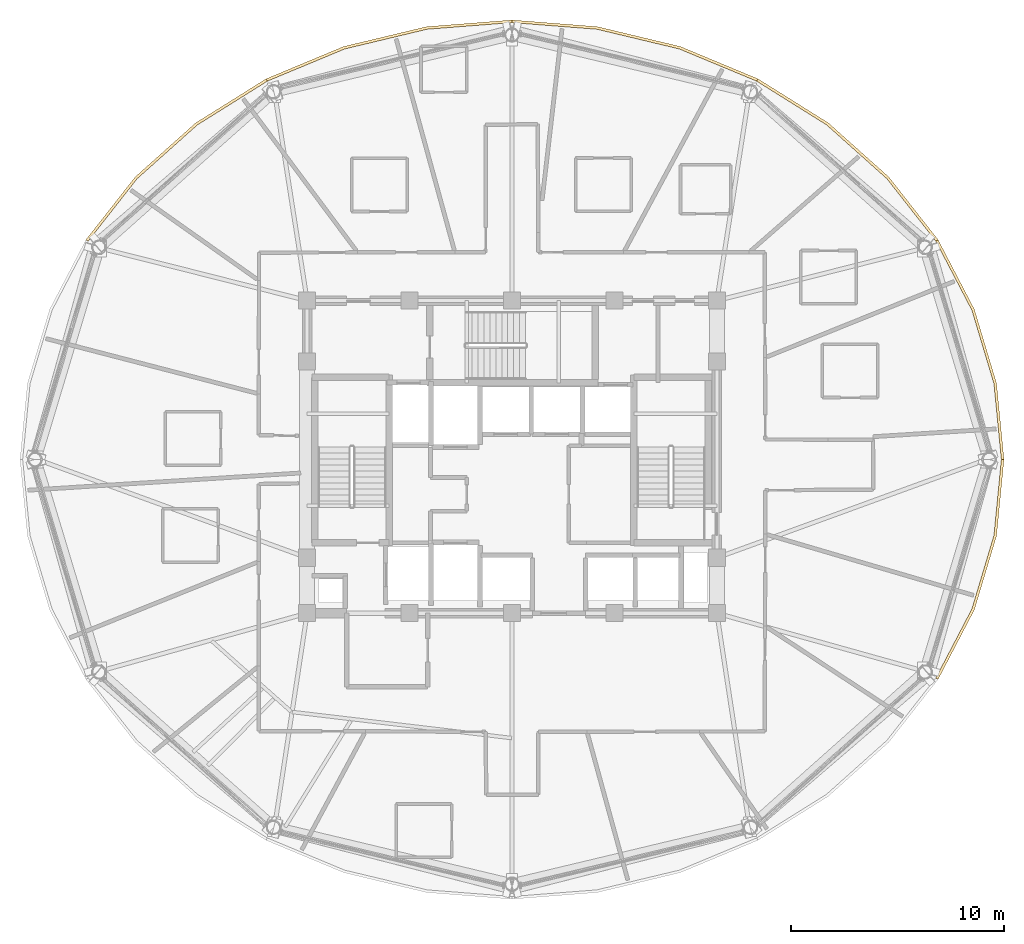
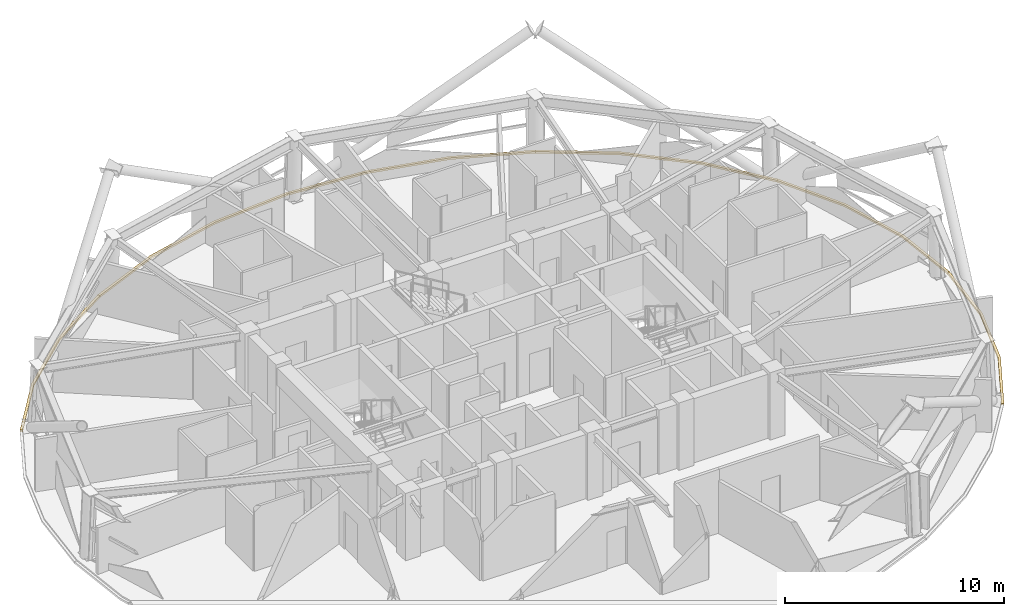
# One storey, part 14 of 14: 6 coverings.
"""IFC4 building model written with IfcOpenShell, lengths in metres."""

from ifc_helpers import new_model, si_unit, direction, frame, origin, place, context, subcontext, project, spatial, polyline, outline, extrude, material, layer, layer_set, type_object, element, save


model = new_model("IFC4")

# Units and contexts
model_context = context("Model", 3, precision=1e-05, world=origin(), true_north=direction((0.0, 1.0)))
body_context = subcontext(model_context, "Body", "Model", "MODEL_VIEW")
ifc_project = project(units=[si_unit("LENGTHUNIT", "METRE"), si_unit("AREAUNIT", "SQUARE_METRE"), si_unit("VOLUMEUNIT", "CUBIC_METRE"), si_unit("PLANEANGLEUNIT", "RADIAN"), si_unit("MASSUNIT", "GRAM", prefix="KILO")], contexts=[model_context])

# Site, building, storey
site_placement = place(None, origin())
site = spatial("IfcSite", under=ifc_project, at=site_placement, CompositionType="ELEMENT")
building_placement = place(site_placement, origin())
building = spatial("IfcBuilding", under=site, at=building_placement, Name="Vantalir Tower", CompositionType="ELEMENT")
storey_placement = place(building_placement, frame((0.0, 0.0, 204.89990234375)))
storey = spatial("IfcBuildingStorey", under=building, at=storey_placement, Name="L51", CompositionType="ELEMENT", Elevation=204.89990234375)

# Coverings
ifc_material = material(Name="Anodised champagne aluminium sill fascia", Category="aluminium")
ifc_layer = layer(ifc_material, 0.125)
ifc_layer_set = layer_set([ifc_layer], Name="Anodised champagne aluminium sill fascia")
covering_type = type_object("IfcCoveringType", Name="COV-SLAB-FASCIA-125", PredefinedType="CLADDING", material=ifc_layer_set)
covering_1_placement = place(storey_placement, frame((0.0, 0.0, -0.179931640625)))
element("IfcCovering", 1, at=covering_1_placement, inside=storey, type_object=covering_type, Name="L51 Perimeter Slab-Edge Sill Fascia 01", PredefinedType="CLADDING", context=body_context, shape_type="SweptSolid", body=[
    extrude(outline(polyline([(54.556884765625, 25.0), (54.20703125, 28.576904296875), (53.166015625, 32.0458984375), (51.468017578125, 35.300048828125), (51.360107421875, 35.237060546875), (53.049072265625, 32.0029296875), (54.083984375, 28.554931640625), (54.431884765625, 25.0), (54.556884765625, 25.0)])), origin(), (0.0, 0.0, 1.0), 0.10498046875),
])
covering_2_placement = place(storey_placement, frame((0.0, 0.0, -0.179931640625)))
element("IfcCovering", 2, at=covering_2_placement, inside=storey, type_object=covering_type, Name="L51 Perimeter Slab-Edge Sill Fascia 02", PredefinedType="CLADDING", context=body_context, shape_type="SweptSolid", body=[
    extrude(outline(polyline([(51.468017578125, 35.300048828125), (49.1630859375, 38.240966796875), (46.321044921875, 40.781005859375), (43.029052734375, 42.840087890625), (42.966064453125, 42.73193359375), (46.239990234375, 40.68505859375), (49.06689453125, 38.160888671875), (51.360107421875, 35.237060546875), (51.468017578125, 35.300048828125)])), origin(), (0.0, 0.0, 1.0), 0.10498046875),
])
covering_3_placement = place(storey_placement, frame((0.0, 0.0, -0.179931640625)))
element("IfcCovering", 3, at=covering_3_placement, inside=storey, type_object=covering_type, Name="L51 Perimeter Slab-Edge Sill Fascia 03", PredefinedType="CLADDING", context=body_context, shape_type="SweptSolid", body=[
    extrude(outline(polyline([(43.029052734375, 42.840087890625), (39.385986328125, 44.35791015625), (35.50390625, 45.287109375), (31.5, 45.60009765625), (31.5, 45.47509765625), (35.48193359375, 45.1640625), (39.343017578125, 44.239990234375), (42.966064453125, 42.73193359375), (43.029052734375, 42.840087890625)])), origin(), (0.0, 0.0, 1.0), 0.10498046875),
])
covering_4_placement = place(storey_placement, frame((0.0, 0.0, -0.179931640625)))
element("IfcCovering", 4, at=covering_4_placement, inside=storey, type_object=covering_type, Name="L51 Perimeter Slab-Edge Sill Fascia 04", PredefinedType="CLADDING", context=body_context, shape_type="SweptSolid", body=[
    extrude(outline(polyline([(31.5, 45.60009765625), (27.49609375, 45.287109375), (23.614013671875, 44.35791015625), (19.971923828125, 42.840087890625), (20.033935546875, 42.73193359375), (23.656982421875, 44.239990234375), (27.51806640625, 45.1640625), (31.5, 45.47509765625), (31.5, 45.60009765625)])), origin(), (0.0, 0.0, 1.0), 0.10498046875),
])
covering_5_placement = place(storey_placement, frame((0.0, 0.0, -0.179931640625)))
element("IfcCovering", 5, at=covering_5_placement, inside=storey, type_object=covering_type, Name="L51 Perimeter Slab-Edge Sill Fascia 05", PredefinedType="CLADDING", context=body_context, shape_type="SweptSolid", body=[
    extrude(outline(polyline([(19.971923828125, 42.840087890625), (16.678955078125, 40.781005859375), (13.8369140625, 38.240966796875), (11.531982421875, 35.300048828125), (11.639892578125, 35.237060546875), (13.93310546875, 38.160888671875), (16.760009765625, 40.68505859375), (20.033935546875, 42.73193359375), (19.971923828125, 42.840087890625)])), origin(), (0.0, 0.0, 1.0), 0.10498046875),
])
covering_6_placement = place(storey_placement, frame((0.0, 0.0, -0.179931640625)))
element("IfcCovering", 6, at=covering_6_placement, inside=storey, type_object=covering_type, Name="L51 Perimeter Slab-Edge Sill Fascia 12", PredefinedType="CLADDING", context=body_context, shape_type="SweptSolid", body=[
    extrude(outline(polyline([(51.468017578125, 14.699951171875), (53.166015625, 17.9541015625), (54.20703125, 21.423095703125), (54.556884765625, 25.0), (54.431884765625, 25.0), (54.083984375, 21.445068359375), (53.049072265625, 17.9970703125), (51.360107421875, 14.761962890625), (51.468017578125, 14.699951171875)])), origin(), (0.0, 0.0, 1.0), 0.10498046875),
])

save(model, "model.ifc")
